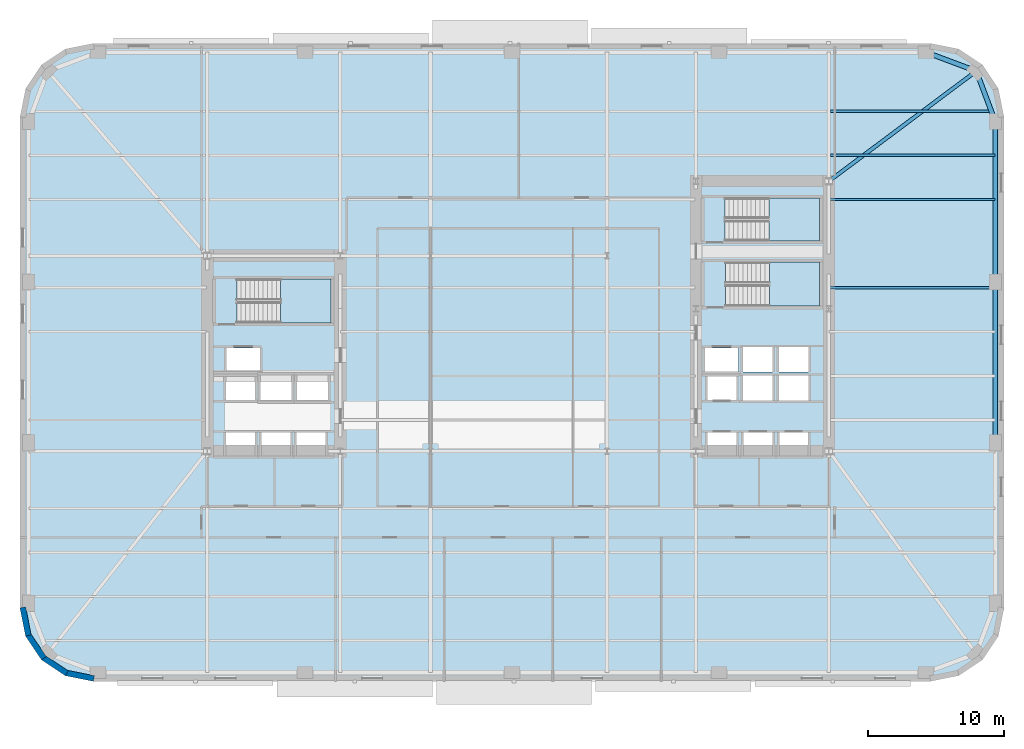
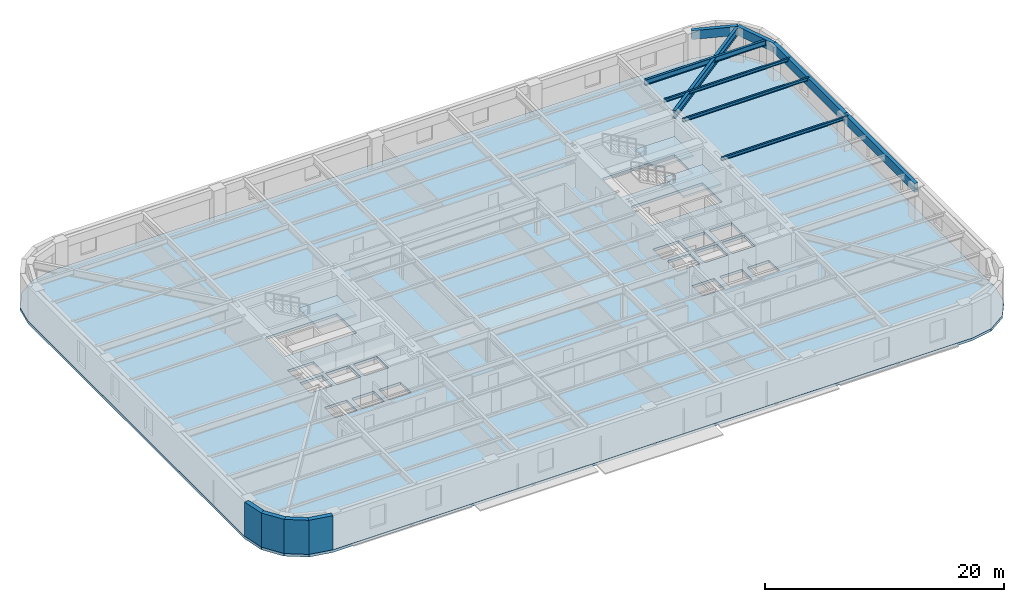
# One storey, part 3 of 14: 9 beams, 4 slabs, 4 walls, 3 elements without a shape of their own.
"""IFC4 building model written with IfcOpenShell, lengths in metres."""

from ifc_helpers import new_model, si_unit, direction, frame, frame_2d, origin, origin_2d, place, context, subcontext, project, spatial, polyline, rectangle, hollow_rectangle, i_section, outline, extrude, material, layer, layer_set, material_profile, profile_set, type_object, element, aggregate, save


model = new_model("IFC4")

# Units and contexts
model_context = context("Model", 3, precision=1e-05, world=origin(), true_north=direction((0.0, 1.0)))
body_context = subcontext(model_context, "Body", "Model", "MODEL_VIEW")
ifc_project = project(units=[si_unit("LENGTHUNIT", "METRE"), si_unit("AREAUNIT", "SQUARE_METRE"), si_unit("VOLUMEUNIT", "CUBIC_METRE"), si_unit("PLANEANGLEUNIT", "RADIAN"), si_unit("MASSUNIT", "GRAM", prefix="KILO")], contexts=[model_context])

# Site, building, storey
site_placement = place(None, origin())
site = spatial("IfcSite", under=ifc_project, at=site_placement, CompositionType="ELEMENT")
building_placement = place(site_placement, origin())
building = spatial("IfcBuilding", under=site, at=building_placement, Name="Kolvaren Arena Tower", CompositionType="ELEMENT")
storey_placement = place(building_placement, frame((0.0, 0.0, 57.0)))
storey = spatial("IfcBuildingStorey", under=building, at=storey_placement, Name="L11", CompositionType="ELEMENT", Elevation=57.0)

# Beams
ifc_material_1 = material(Name="Steel CSA G40.21 350W", Category="steel")
ifc_material_profile_1 = material_profile(ifc_material_1, i_section(OverallWidth=0.2119140625, OverallDepth=0.54296875, WebThickness=0.01318359375, FlangeThickness=0.0244140625, FilletRadius=0.013916015625, at=origin_2d()), Name="W530x150")
ifc_profile_set_1 = profile_set([ifc_material_profile_1], Name="Steel CSA G40.21 350W")
beam_type_1 = type_object("IfcBeamType", Name="BEAM-F1", PredefinedType="BEAM", material=ifc_profile_set_1)
beam_1_placement = place(storey_placement, frame((60.485107421875, 44.5, 3.20849609375), z_axis=(1.0, 0.0, 0.0), x_axis=(0.0, 1.0, 0.0)))
element("IfcBeam", 1, at=beam_1_placement, inside=storey, type_object=beam_type_1, Name="Composite Floor Beam (L11)", PredefinedType="BEAM", context=body_context, shape_type="SweptSolid", body=[
    extrude(i_section(OverallWidth=0.2119140625, OverallDepth=0.54296875, WebThickness=0.01318359375, FlangeThickness=0.0244140625, FilletRadius=0.013916015625, at=origin_2d()), origin(), (0.0, 0.0, 1.0), 11.83349609375),
])
ifc_material_profile_2 = material_profile(ifc_material_1, i_section(OverallWidth=0.27001953125, OverallDepth=0.77294921875, WebThickness=0.019287109375, FlangeThickness=0.033447265625, FilletRadius=0.01806640625, at=origin_2d()), Name="W760x257")
ifc_profile_set_2 = profile_set([ifc_material_profile_2], Name="Steel CSA G40.21 350W")
beam_type_2 = type_object("IfcBeamType", Name="GIRD-T1", PredefinedType="BEAM", material=ifc_profile_set_2)
beam_2_placement = place(storey_placement, frame((71.208740234375, 47.458740234375, 3.093505859375), z_axis=(-0.801249936397, -0.598329791523, 0.0), x_axis=(0.598329791523, -0.801249936397, 0.0)))
element("IfcBeam", 2, at=beam_2_placement, inside=storey, type_object=beam_type_2, Name="Corner Diagonal Tie Girder (L11)", PredefinedType="BEAM", context=body_context, shape_type="SweptSolid", body=[
    extrude(i_section(OverallWidth=0.27001953125, OverallDepth=0.77294921875, WebThickness=0.019287109375, FlangeThickness=0.033447265625, FilletRadius=0.01806640625, at=origin_2d()), origin(), (0.0, 0.0, 1.0), 13.55224609375),
])
ifc_material_profile_3 = material_profile(ifc_material_1, i_section(OverallWidth=0.1669921875, OverallDepth=0.31689453125, WebThickness=0.007568359375, FlangeThickness=0.01318359375, FilletRadius=0.010009765625, at=origin_2d()), Name="W310x52")
ifc_profile_set_3 = profile_set([ifc_material_profile_3], Name="Steel CSA G40.21 350W")
beam_type_3 = type_object("IfcBeamType", Name="JOIST-02", PredefinedType="JOIST", material=ifc_profile_set_3)
for number, where, z_axis, x_axis, name in (
    (3, (60.3701171875, 31.5, 3.321533203125), (1.0, 0.0, 0.0), (0.0, 1.0, 0.0), "Composite Floor Joist (L11)"),
    (4, (60.3701171875, 38.0, 3.321533203125), (1.0, 0.0, 0.0), (0.0, 1.0, 0.0), "Composite Floor Joist (L11)"),
):
    element("IfcBeam", number, at=place(storey_placement, frame(where, z_axis=z_axis, x_axis=x_axis)), inside=storey, type_object=beam_type_3, Name=name, PredefinedType="JOIST", context=body_context, shape_type="SweptSolid", body=[
        extrude(i_section(OverallWidth=0.1669921875, OverallDepth=0.31689453125, WebThickness=0.007568359375, FlangeThickness=0.01318359375, FilletRadius=0.010009765625, at=origin_2d()), origin(), (0.0, 0.0, 1.0), 12.22998046875),
    ])
beam_3_placement = place(storey_placement, frame((60.485107421875, 41.25, 3.321533203125), z_axis=(1.0, 0.0, 0.0), x_axis=(0.0, 1.0, 0.0)))
element("IfcBeam", 5, at=beam_3_placement, inside=storey, type_object=beam_type_3, Name="Composite Floor Joist (L11)", PredefinedType="JOIST", context=body_context, shape_type="SweptSolid", body=[
    extrude(i_section(OverallWidth=0.1669921875, OverallDepth=0.31689453125, WebThickness=0.007568359375, FlangeThickness=0.01318359375, FilletRadius=0.010009765625, at=origin_2d()), origin(), (0.0, 0.0, 1.0), 12.114990234375),
])
ifc_material_2 = material(Name="Steel CSA G40.21 350WT", Category="steel")
ifc_material_profile_4 = material_profile(ifc_material_2, hollow_rectangle(XDim=0.35009765625, YDim=0.89990234375, WallThickness=0.02001953125, at=origin_2d()), Name="HSS 900x350x20")
ifc_profile_set_4 = profile_set([ifc_material_profile_4], Name="Steel CSA G40.21 350WT")
beam_type_4 = type_object("IfcBeamType", Name="SPAND-01", PredefinedType="SPANDREL", material=ifc_profile_set_4)
beam_4_placement = place(storey_placement, frame((72.60009765625, 20.083251953125, 3.030029296875), z_axis=(0.0, 1.0, 0.0), x_axis=(-1.0, 0.0, 0.0)))
element("IfcBeam", 6, at=beam_4_placement, inside=storey, type_object=beam_type_4, Name="Perimeter Spandrel Beam (L11)", PredefinedType="SPANDREL", context=body_context, shape_type="SweptSolid", body=[
    extrude(hollow_rectangle(XDim=0.35009765625, YDim=0.89990234375, WallThickness=0.02001953125, at=origin_2d()), origin(), (0.0, 0.0, 1.0), 11.83349609375),
])
beam_5_placement = place(storey_placement, frame((72.60009765625, 31.916748046875, 3.030029296875), z_axis=(0.0, 1.0, 0.0), x_axis=(-1.0, 0.0, 0.0)))
element("IfcBeam", 7, at=beam_5_placement, inside=storey, type_object=beam_type_4, Name="Perimeter Spandrel Beam (L11)", PredefinedType="SPANDREL", context=body_context, shape_type="SweptSolid", body=[
    extrude(hollow_rectangle(XDim=0.35009765625, YDim=0.89990234375, WallThickness=0.02001953125, at=origin_2d()), origin(), (0.0, 0.0, 1.0), 11.833251953125),
])
for number, where, z_axis, x_axis, name in (
    (8, (72.60009765625, 43.75, 3.030029296875), (-0.351251771955, 0.93628104365, 0.0), (-0.93628104365, -0.351251771955, 0.0), "Perimeter Spandrel Beam (L11)"),
    (9, (71.208740234375, 47.458740234375, 3.030029296875), (-0.93628104365, 0.351251771955, 0.0), (-0.351251771955, -0.93628104365, 0.0), "Perimeter Spandrel Beam (L11)"),
):
    element("IfcBeam", number, at=place(storey_placement, frame(where, z_axis=z_axis, x_axis=x_axis)), inside=storey, type_object=beam_type_4, Name=name, PredefinedType="SPANDREL", context=body_context, shape_type="SweptSolid", body=[
        extrude(hollow_rectangle(XDim=0.35009765625, YDim=0.89990234375, WallThickness=0.02001953125, at=origin_2d()), origin(), (0.0, 0.0, 1.0), 3.961181640625),
    ])

# Stair, slab
ifc_material_3 = material(Name="Concrete 45 MPa", Category="concrete")
stair_type_1 = type_object("IfcStairType", Name="STAIR-CORE-165", PredefinedType="HALF_TURN_STAIR", material=ifc_material_3)
stair_1_placement = place(storey_placement, origin())
stair_1 = element("IfcStair", 10, at=stair_1_placement, inside=storey, type_object=stair_type_1, Name="L11 ST-W1", PredefinedType="HALF_TURN_STAIR")
ifc_layer_1 = layer(ifc_material_3, 0.199951171875)
ifc_layer_set_1 = layer_set([ifc_layer_1], Name="Concrete 45 MPa")
slab_type_1 = type_object("IfcSlabType", Name="SLAB-LAND", PredefinedType="LANDING", material=ifc_layer_set_1)
slab_1_placement = place(storey_placement, frame((0.0, 0.0, 1.675048828125)))
slab_1 = element("IfcSlab", 11, at=slab_1_placement, type_object=slab_type_1, Name="ST-W1 landing 1", PredefinedType="LANDING", context=body_context, shape_type="SweptSolid", body=[
    extrude(outline(polyline([(19.9599609375, 28.89990234375), (23.659912109375, 28.89990234375), (23.659912109375, 32.1298828125), (19.9599609375, 32.1298828125), (19.9599609375, 28.89990234375)])), origin(), (0.0, 0.0, 1.0), 0.199951171875),
])
aggregate(stair_1, [slab_1])

stair_2_placement = place(storey_placement, origin())
stair_2 = element("IfcStair", 12, at=stair_2_placement, inside=storey, type_object=stair_type_1, Name="L11 ST-E1", PredefinedType="HALF_TURN_STAIR")
slab_2_placement = place(storey_placement, frame((0.0, 0.0, 1.675048828125)))
slab_2 = element("IfcSlab", 13, at=slab_2_placement, type_object=slab_type_1, Name="ST-E1 landing 1", PredefinedType="LANDING", context=body_context, shape_type="SweptSolid", body=[
    extrude(outline(polyline([(55.9599609375, 30.14990234375), (59.659912109375, 30.14990234375), (59.659912109375, 33.3798828125), (55.9599609375, 33.3798828125), (55.9599609375, 30.14990234375)])), origin(), (0.0, 0.0, 1.0), 0.199951171875),
])
aggregate(stair_2, [slab_2])

stair_type_2 = type_object("IfcStairType", Name="STAIR-CORE-150", PredefinedType="HALF_TURN_STAIR", material=ifc_material_3)
stair_3_placement = place(storey_placement, origin())
stair_3 = element("IfcStair", 14, at=stair_3_placement, inside=storey, type_object=stair_type_2, Name="L11 ST-E2", PredefinedType="HALF_TURN_STAIR")
slab_3_placement = place(storey_placement, frame((0.0, 0.0, 1.675048828125)))
slab_3 = element("IfcSlab", 15, at=slab_3_placement, type_object=slab_type_1, Name="ST-E2 landing 1", PredefinedType="LANDING", context=body_context, shape_type="SweptSolid", body=[
    extrude(outline(polyline([(55.919921875, 34.949951171875), (59.659912109375, 34.949951171875), (59.659912109375, 38.10009765625), (55.919921875, 38.10009765625), (55.919921875, 34.949951171875)])), origin(), (0.0, 0.0, 1.0), 0.199951171875),
])
aggregate(stair_3, [slab_3])

# Slab
ifc_layer_2 = layer(ifc_material_3, 0.27001953125)
ifc_layer_set_2 = layer_set([ifc_layer_2], Name="Concrete 45 MPa")
slab_type_2 = type_object("IfcSlabType", Name="SLAB-OFF2", PredefinedType="FLOOR", material=ifc_layer_set_2)
slab_4_placement = place(storey_placement, frame((0.0, 0.0, -0.27001953125)))
element("IfcSlab", 16, at=slab_4_placement, inside=storey, type_object=slab_type_2, Name="L11 Primary Structural Slab", PredefinedType="FLOOR", context=body_context, shape_type="SweptSolid", body=[
    extrude(outline(polyline([(67.85009765625, 2.5), (69.91650390625, 2.9111328125), (71.66845703125, 4.08154296875), (72.8388671875, 5.83349609375), (73.25, 7.89990234375), (73.25, 44.10009765625), (72.8388671875, 46.16650390625), (71.66845703125, 47.91845703125), (69.91650390625, 49.0888671875), (67.85009765625, 49.5), (6.14990234375, 49.5), (4.08349609375, 49.0888671875), (2.33154296875, 47.91845703125), (1.1611328125, 46.16650390625), (0.75, 44.10009765625), (0.75, 7.89990234375), (1.1611328125, 5.83349609375), (2.33154296875, 4.08154296875), (4.08349609375, 2.9111328125), (6.14990234375, 2.5), (67.85009765625, 2.5)]), holes=[polyline([(15.93505859375, 19.0849609375), (15.93505859375, 20.81494140625), (18.06494140625, 20.81494140625), (18.06494140625, 19.0849609375), (15.93505859375, 19.0849609375)]), polyline([(18.534912109375, 19.0849609375), (18.534912109375, 20.81494140625), (20.6650390625, 20.81494140625), (20.6650390625, 19.0849609375), (18.534912109375, 19.0849609375)]), polyline([(21.135009765625, 19.0849609375), (21.135009765625, 20.81494140625), (23.264892578125, 20.81494140625), (23.264892578125, 19.0849609375), (21.135009765625, 19.0849609375)]), polyline([(51.39501953125, 19.0849609375), (51.39501953125, 20.81494140625), (53.52490234375, 20.81494140625), (53.52490234375, 19.0849609375), (51.39501953125, 19.0849609375)]), polyline([(54.054931640625, 19.0849609375), (54.054931640625, 20.81494140625), (56.18505859375, 20.81494140625), (56.18505859375, 19.0849609375), (54.054931640625, 19.0849609375)]), polyline([(56.695068359375, 19.0849609375), (56.695068359375, 20.81494140625), (58.824951171875, 20.81494140625), (58.824951171875, 19.0849609375), (56.695068359375, 19.0849609375)]), polyline([(18.4599609375, 23.135009765625), (18.4599609375, 25.06494140625), (20.739990234375, 25.06494140625), (20.739990234375, 23.135009765625), (18.4599609375, 23.135009765625)]), polyline([(21.159912109375, 23.135009765625), (21.159912109375, 25.06494140625), (23.43994140625, 25.06494140625), (23.43994140625, 23.135009765625), (21.159912109375, 23.135009765625)]), polyline([(54.030029296875, 25.014892578125), (56.2099609375, 25.014892578125), (56.2099609375, 23.18505859375), (54.030029296875, 23.18505859375), (54.030029296875, 25.014892578125)]), polyline([(56.669921875, 25.014892578125), (58.85009765625, 25.014892578125), (58.85009765625, 23.18505859375), (56.669921875, 23.18505859375), (56.669921875, 25.014892578125)]), polyline([(15.93505859375, 23.235107421875), (15.93505859375, 24.965087890625), (18.06494140625, 24.965087890625), (18.06494140625, 23.235107421875), (15.93505859375, 23.235107421875)]), polyline([(51.39501953125, 24.965087890625), (53.52490234375, 24.965087890625), (53.52490234375, 23.235107421875), (51.39501953125, 23.235107421875), (51.39501953125, 24.965087890625)]), polyline([(54.030029296875, 25.284912109375), (54.030029296875, 27.114990234375), (56.2099609375, 27.114990234375), (56.2099609375, 25.284912109375), (54.030029296875, 25.284912109375)]), polyline([(56.669921875, 25.284912109375), (56.669921875, 27.114990234375), (58.85009765625, 27.114990234375), (58.85009765625, 25.284912109375), (56.669921875, 25.284912109375)]), polyline([(15.9599609375, 27.06494140625), (18.43994140625, 27.06494140625), (18.43994140625, 25.3349609375), (15.9599609375, 25.3349609375), (15.9599609375, 27.06494140625)]), polyline([(51.219970703125, 25.3349609375), (51.219970703125, 27.06494140625), (53.699951171875, 27.06494140625), (53.699951171875, 25.3349609375), (51.219970703125, 25.3349609375)]), polyline([(16.735107421875, 28.89990234375), (16.735107421875, 32.1298828125), (23.659912109375, 32.1298828125), (23.659912109375, 28.89990234375), (16.735107421875, 28.89990234375)]), polyline([(52.735107421875, 33.3798828125), (59.659912109375, 33.3798828125), (59.659912109375, 30.14990234375), (52.735107421875, 30.14990234375), (52.735107421875, 33.3798828125)]), polyline([(52.695068359375, 38.10009765625), (59.659912109375, 38.10009765625), (59.659912109375, 34.949951171875), (52.695068359375, 34.949951171875), (52.695068359375, 38.10009765625)])]), origin(), (0.0, 0.0, 1.0), 0.27001953125),
])

# Walls
ifc_material_4 = material(Name="Precast concrete C50/60", Category="concrete")
ifc_layer_3 = layer(ifc_material_4, 0.419921875)
ifc_layer_set_3 = layer_set([ifc_layer_3], Name="Precast concrete C50/60")
wall_type = type_object("IfcWallType", Name="EXT-PIER1", PredefinedType="SOLIDWALL", material=ifc_layer_set_3)
for number, where, z_axis, x_axis, name in (
    (17, (1.3671875, 5.87451171875, 0.0), (0.0, 0.0, 1.0), (-0.195135546048, 0.9807762837, 0.0), "Exterior Precast Masonry-Frame Wall (L11)"),
    (18, (2.506103515625, 4.1982421875, 0.0), (0.0, 0.0, 1.0), (-0.555502146192, 0.831515102434, 0.0), "Exterior Precast Masonry-Frame Wall (L11)"),
    (19, (4.2001953125, 3.085693359375, 0.0), (0.0, 0.0, 1.0), (-0.831515102434, 0.555502146192, 0.0), "Exterior Precast Masonry-Frame Wall (L11)"),
    (20, (6.19091796875, 2.7060546875, 0.0), (0.0, 0.0, 1.0), (-0.9807762837, 0.195135546048, 0.0), "Exterior Precast Masonry-Frame Wall (L11)"),
):
    element("IfcWall", number, at=place(storey_placement, frame(where, z_axis=z_axis, x_axis=x_axis)), inside=storey, type_object=wall_type, Name=name, PredefinedType="SOLIDWALL", context=body_context, shape_type="SweptSolid", body=[
        extrude(rectangle(XDim=2.10693359375, YDim=0.419921875, at=frame_2d((1.053466796875, 0.0))), origin(), (0.0, 0.0, 1.0), 3.47998046875),
    ])

save(model, "model.ifc")
